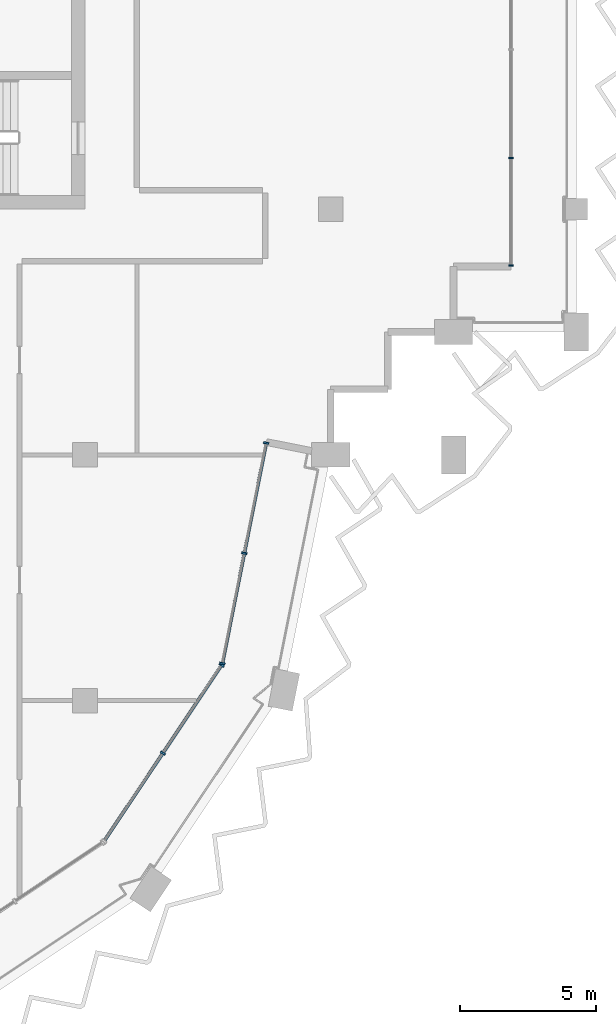
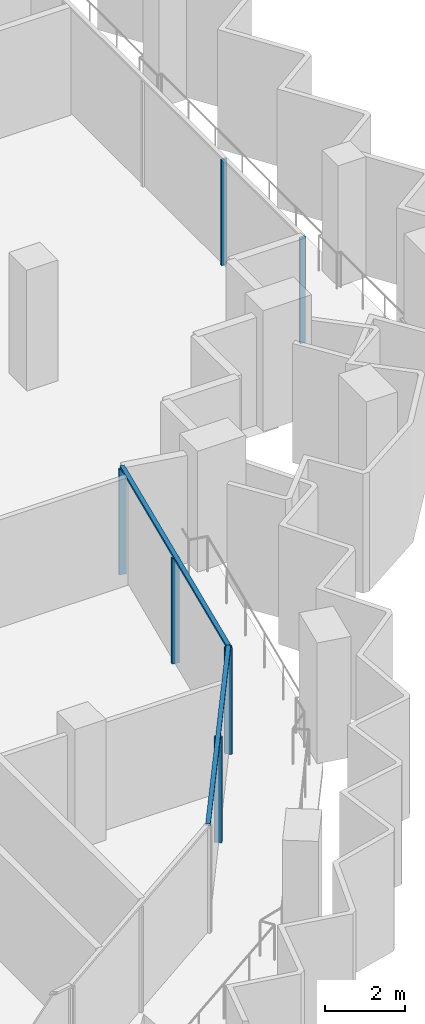
# One storey, part 3 of 13: 9 members, 3 elements without a shape of their own.
"""IFC4 building model written with IfcOpenShell, lengths in metres."""

from ifc_helpers import new_model, si_unit, direction, frame, origin, origin_2d, place, context, subcontext, project, spatial, rectangle, extrude, material, material_profile, profile_set, type_object, element, aggregate, save


model = new_model("IFC4")

# Units and contexts
model_context = context("Model", 3, precision=1e-05, world=origin(), true_north=direction((0.0, 1.0)))
body_context = subcontext(model_context, "Body", "Model", "MODEL_VIEW")
ifc_project = project(units=[si_unit("LENGTHUNIT", "METRE"), si_unit("AREAUNIT", "SQUARE_METRE"), si_unit("VOLUMEUNIT", "CUBIC_METRE"), si_unit("PLANEANGLEUNIT", "RADIAN"), si_unit("MASSUNIT", "GRAM", prefix="KILO")], contexts=[model_context])

# Site, building, storey
site_placement = place(None, origin())
site = spatial("IfcSite", under=ifc_project, at=site_placement, CompositionType="ELEMENT")
building_placement = place(site_placement, origin())
building = spatial("IfcBuilding", under=site, at=building_placement, Name="Hunhe Ridgeline Campus", CompositionType="ELEMENT")
storey_placement = place(building_placement, frame((0.0, 0.0, 280.800048828125)))
storey = spatial("IfcBuildingStorey", under=building, at=storey_placement, Name="L72", CompositionType="ELEMENT", Elevation=280.800048828125)

# Curtain wall, members
ifc_material = material(Name="Aluminium 6063", Category="aluminium")
curtain_wall_type_1 = type_object("IfcCurtainWallType", Name="Curtain wall CW-1", PredefinedType="NOTDEFINED", material=ifc_material)
curtain_wall_1_placement = place(storey_placement, origin())
curtain_wall_1 = element("IfcCurtainWall", 1, at=curtain_wall_1_placement, inside=storey, type_object=curtain_wall_type_1, Name="Curtain wall 11", PredefinedType="NOTDEFINED")
ifc_material_profile_1 = material_profile(ifc_material, rectangle(XDim=0.159912109375, YDim=0.06005859375, at=origin_2d()))
ifc_profile_set_1 = profile_set([ifc_material_profile_1], Name="Aluminium 6063")
member_type_1 = type_object("IfcMemberType", Name="CW-1 aluminium mullion", PredefinedType="MULLION", material=ifc_profile_set_1)
member_1_placement = place(storey_placement, frame((51.59912109375, 60.930908203125, 0.0), z_axis=(0.0, 0.0, 1.0), x_axis=(-1.0, 0.0, 0.0)))
member_1 = element("IfcMember", 2, at=member_1_placement, type_object=member_type_1, Name="CW-1 mullion 1", PredefinedType="MULLION", context=body_context, shape_type="SweptSolid", body=[
    extrude(rectangle(XDim=0.159912109375, YDim=0.06005859375, at=origin_2d()), origin(), (0.0, 0.0, 1.0), 3.239990234375),
])
member_2_placement = place(storey_placement, frame((51.59912109375, 64.8759765625, 0.0), z_axis=(0.0, 0.0, 1.0), x_axis=(-1.0, 0.0, 0.0)))
member_2 = element("IfcMember", 3, at=member_2_placement, type_object=member_type_1, Name="CW-1 mullion 2", PredefinedType="MULLION", context=body_context, shape_type="SweptSolid", body=[
    extrude(rectangle(XDim=0.159912109375, YDim=0.06005859375, at=origin_2d()), origin(), (0.0, 0.0, 1.0), 3.239990234375),
])
aggregate(curtain_wall_1, [member_1, member_2])

curtain_wall_type_2 = type_object("IfcCurtainWallType", Name="Curtain wall CW-5", PredefinedType="NOTDEFINED", material=ifc_material)
curtain_wall_2_placement = place(storey_placement, origin())
curtain_wall_2 = element("IfcCurtainWall", 4, at=curtain_wall_2_placement, inside=storey, type_object=curtain_wall_type_2, Name="Curtain wall 09", PredefinedType="NOTDEFINED")
ifc_material_profile_2 = material_profile(ifc_material, rectangle(XDim=0.199951171875, YDim=0.070068359375, at=origin_2d()))
ifc_profile_set_2 = profile_set([ifc_material_profile_2], Name="Aluminium 6063")
member_type_2 = type_object("IfcMemberType", Name="CW-5 aluminium mullion", PredefinedType="MULLION", material=ifc_profile_set_2)
member_3_placement = place(storey_placement, frame((38.852294921875, 43.07373046875, 0.0), z_axis=(0.0, 0.0, 1.0), x_axis=(-0.831469584522, 0.555570274596, 0.0)))
member_3 = element("IfcMember", 5, at=member_3_placement, type_object=member_type_2, Name="CW-5 mullion 2", PredefinedType="MULLION", context=body_context, shape_type="SweptSolid", body=[
    extrude(rectangle(XDim=0.199951171875, YDim=0.070068359375, at=origin_2d()), origin(), (0.0, 0.0, 1.0), 3.22998046875),
])
member_4_placement = place(storey_placement, frame((41.006103515625, 46.29736328125, 0.0), z_axis=(0.0, 0.0, 1.0), x_axis=(-0.831469584522, 0.555570274596, 0.0)))
member_4 = element("IfcMember", 6, at=member_4_placement, type_object=member_type_2, Name="CW-5 mullion 3", PredefinedType="MULLION", context=body_context, shape_type="SweptSolid", body=[
    extrude(rectangle(XDim=0.199951171875, YDim=0.070068359375, at=origin_2d()), origin(), (0.0, 0.0, 1.0), 3.22998046875),
])

curtain_wall_3_placement = place(storey_placement, origin())
curtain_wall_3 = element("IfcCurtainWall", 7, at=curtain_wall_3_placement, inside=storey, type_object=curtain_wall_type_2, Name="Curtain wall 10", PredefinedType="NOTDEFINED")
member_5_placement = place(storey_placement, frame((41.032470703125, 46.36083984375, 0.0), z_axis=(0.0, 0.0, 1.0), x_axis=(-0.980782515828, 0.19510421996, 0.0)))
member_5 = element("IfcMember", 8, at=member_5_placement, type_object=member_type_2, Name="CW-5 mullion 1", PredefinedType="MULLION", context=body_context, shape_type="SweptSolid", body=[
    extrude(rectangle(XDim=0.199951171875, YDim=0.070068359375, at=origin_2d()), origin(), (0.0, 0.0, 1.0), 3.22998046875),
])
member_6_placement = place(storey_placement, frame((41.83544921875, 50.397705078125, 0.0), z_axis=(0.0, 0.0, 1.0), x_axis=(-0.980782515828, 0.19510421996, 0.0)))
member_6 = element("IfcMember", 9, at=member_6_placement, type_object=member_type_2, Name="CW-5 mullion 2", PredefinedType="MULLION", context=body_context, shape_type="SweptSolid", body=[
    extrude(rectangle(XDim=0.199951171875, YDim=0.070068359375, at=origin_2d()), origin(), (0.0, 0.0, 1.0), 3.22998046875),
])
member_7_placement = place(storey_placement, frame((42.638427734375, 54.4345703125, 0.0), z_axis=(0.0, 0.0, 1.0), x_axis=(-0.980782515828, 0.19510421996, 0.0)))
member_7 = element("IfcMember", 10, at=member_7_placement, type_object=member_type_2, Name="CW-5 mullion 3", PredefinedType="MULLION", context=body_context, shape_type="SweptSolid", body=[
    extrude(rectangle(XDim=0.199951171875, YDim=0.070068359375, at=origin_2d()), origin(), (0.0, 0.0, 1.0), 3.22998046875),
])

# Member
ifc_material_profile_3 = material_profile(ifc_material, rectangle(XDim=0.1201171875, YDim=0.070068359375, at=origin_2d()))
ifc_profile_set_3 = profile_set([ifc_material_profile_3], Name="Aluminium 6063")
member_type_3 = type_object("IfcMemberType", Name="CW-5 aluminium transom", PredefinedType="USERDEFINED", material=ifc_profile_set_3)
member_8_placement = place(storey_placement, frame((36.678955078125, 39.821044921875, 3.264892578125), z_axis=(0.5555640203, 0.831473763475, 0.0), x_axis=(-0.831473763475, 0.5555640203, 0.0)))
member_8 = element("IfcMember", 11, at=member_8_placement, type_object=member_type_3, Name="CW-5 transom 1", ObjectType="TRANSOM", PredefinedType="USERDEFINED", context=body_context, shape_type="SweptSolid", body=[
    extrude(rectangle(XDim=0.1201171875, YDim=0.070068359375, at=origin_2d()), origin(), (0.0, 0.0, 1.0), 7.823974609375),
])

aggregate(curtain_wall_2, [member_8, member_3, member_4])

member_9_placement = place(storey_placement, frame((41.025634765625, 46.326416015625, 3.264892578125), z_axis=(0.195092405068, 0.980784866056, 0.0), x_axis=(-0.980784866056, 0.195092405068, 0.0)))
member_9 = element("IfcMember", 12, at=member_9_placement, type_object=member_type_3, Name="CW-5 transom 1", ObjectType="TRANSOM", PredefinedType="USERDEFINED", context=body_context, shape_type="SweptSolid", body=[
    extrude(rectangle(XDim=0.1201171875, YDim=0.070068359375, at=origin_2d()), origin(), (0.0, 0.0, 1.0), 8.3017578125),
])

aggregate(curtain_wall_3, [member_9, member_5, member_6, member_7])

save(model, "model.ifc")
